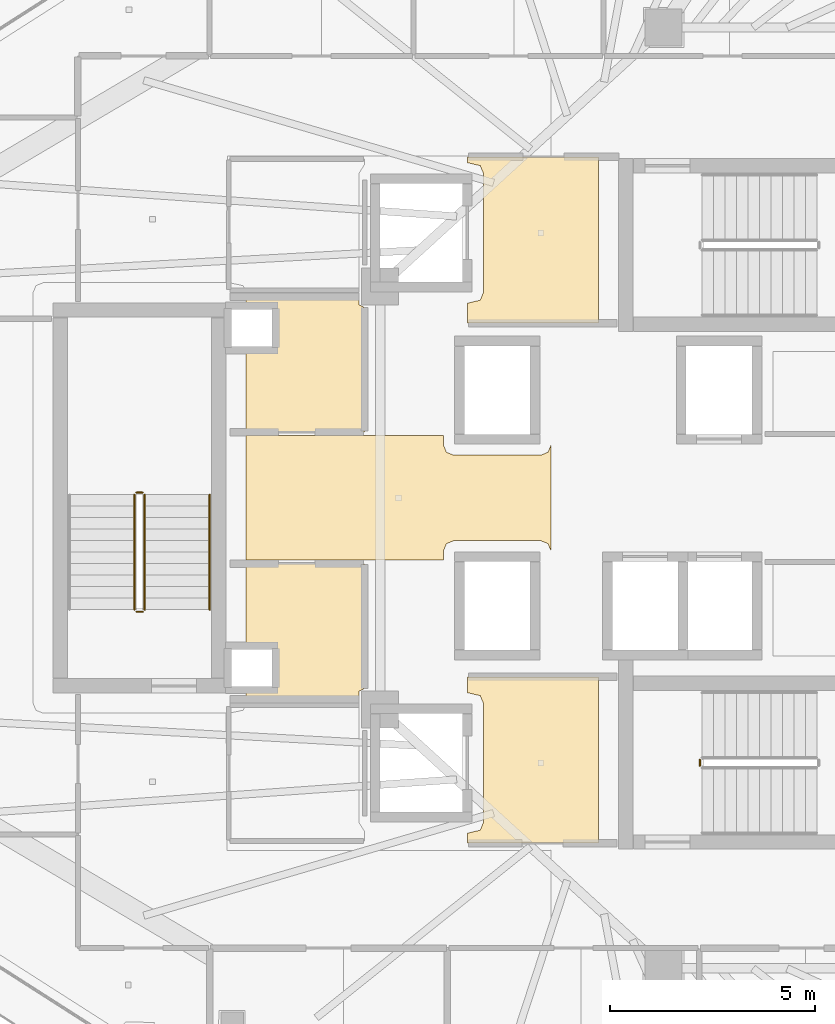
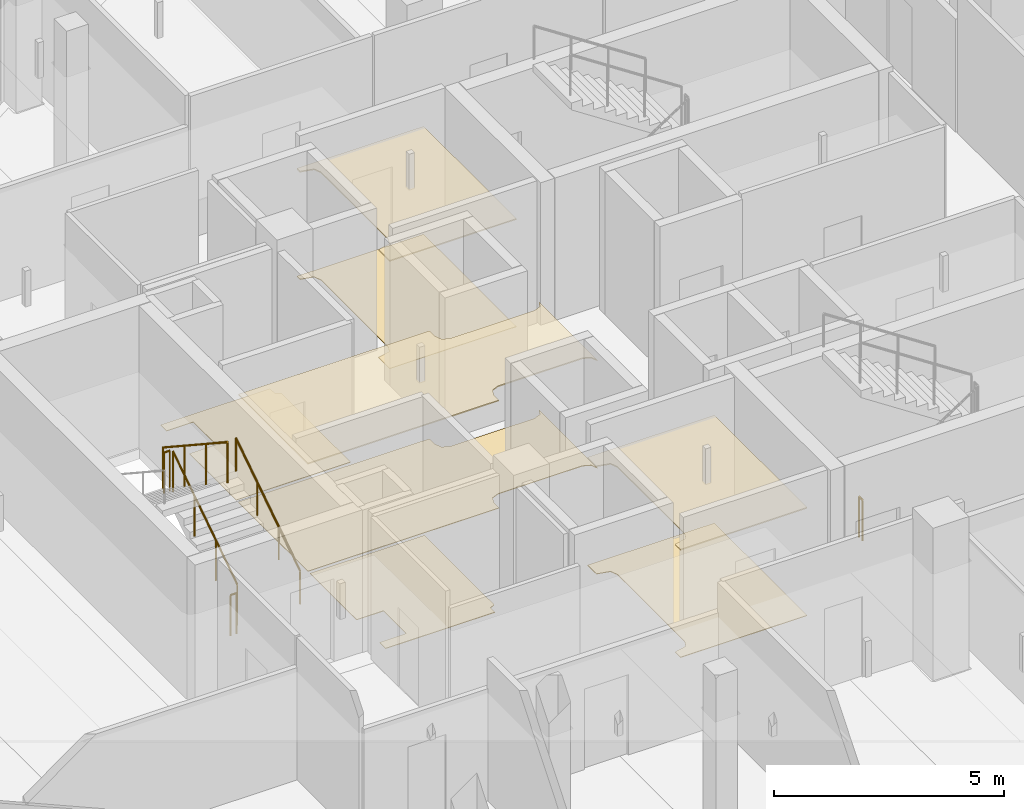
# One storey, part 31 of 36: 8 coverings, 6 railings.
"""IFC4 building model written with IfcOpenShell, lengths in metres."""

from ifc_helpers import new_model, si_unit, direction, frame, origin, origin_2d, place, context, subcontext, project, spatial, polyline, circle, outline, extrude, material, layer, layer_set, type_object, element, save


model = new_model("IFC4")

# Units and contexts
model_context = context("Model", 3, precision=1e-05, world=origin(), true_north=direction((0.0, 1.0)))
body_context = subcontext(model_context, "Body", "Model", "MODEL_VIEW")
ifc_project = project(units=[si_unit("LENGTHUNIT", "METRE"), si_unit("AREAUNIT", "SQUARE_METRE"), si_unit("VOLUMEUNIT", "CUBIC_METRE"), si_unit("PLANEANGLEUNIT", "RADIAN"), si_unit("MASSUNIT", "GRAM", prefix="KILO")], contexts=[model_context])

# Site, building, storey
site_placement = place(None, origin())
site = spatial("IfcSite", under=ifc_project, at=site_placement, CompositionType="ELEMENT")
building_placement = place(site_placement, origin())
building = spatial("IfcBuilding", under=site, at=building_placement, Name="Qorvath Tower", CompositionType="ELEMENT")
storey_placement = place(building_placement, frame((0.0, 0.0, 241.5)))
storey = spatial("IfcBuildingStorey", under=building, at=storey_placement, Name="L56", CompositionType="ELEMENT", Elevation=241.5)

# Coverings
ifc_material_1 = material(Name="Acoustic mineral fibre ceiling tile", Category="gypsum")
ifc_layer_1 = layer(ifc_material_1, 0.030029296875)
ifc_layer_set_1 = layer_set([ifc_layer_1], Name="COV-CEIL")
covering_type_1 = type_object("IfcCoveringType", Name="COV-CEIL", PredefinedType="CEILING", material=ifc_layer_set_1)
covering_1_placement = place(storey_placement, frame((0.0, 0.0, 2.85009765625)))
element("IfcCovering", 1, at=covering_1_placement, inside=storey, type_object=covering_type_1, Name="L56 Suspended Acoustic Ceiling 001", PredefinedType="CEILING", context=body_context, shape_type="SweptSolid", body=[
    extrude(outline(polyline([(-25.18994140625, 4.2548828125), (-25.18994140625, 8.294921875), (-28.375, 8.294921875), (-28.375, 8.159912109375), (-28.063232421875, 8.086669921875), (-27.989990234375, 7.909912109375), (-27.989990234375, 4.989990234375), (-28.063232421875, 4.813232421875), (-28.375, 4.739990234375), (-28.375, 4.2548828125), (-25.18994140625, 4.2548828125)])), origin(), (0.0, 0.0, 1.0), 0.030029296875),
])
covering_2_placement = place(storey_placement, frame((0.0, 0.0, 2.85009765625)))
element("IfcCovering", 2, at=covering_2_placement, inside=storey, type_object=covering_type_1, Name="L56 Suspended Acoustic Ceiling 002", PredefinedType="CEILING", context=body_context, shape_type="SweptSolid", body=[
    extrude(outline(polyline([(-25.18994140625, -8.39501953125), (-25.18994140625, -4.35498046875), (-28.375, -4.35498046875), (-28.375, -4.739990234375), (-28.063232421875, -4.813232421875), (-27.989990234375, -4.989990234375), (-27.989990234375, -7.909912109375), (-28.063232421875, -8.086669921875), (-28.375, -8.159912109375), (-28.375, -8.39501953125), (-25.18994140625, -8.39501953125)])), origin(), (0.0, 0.0, 1.0), 0.030029296875),
])
covering_3_placement = place(storey_placement, frame((0.0, 0.0, 2.85009765625)))
element("IfcCovering", 3, at=covering_3_placement, inside=storey, type_object=covering_type_1, Name="L56 Suspended Acoustic Ceiling 011", PredefinedType="CEILING", context=body_context, shape_type="SweptSolid", body=[
    extrude(outline(polyline([(-26.34716796875, -1.27294921875), (-26.34716796875, 1.27294921875), (-26.413330078125, 1.11328125), (-26.590087890625, 1.0400390625), (-28.7099609375, 1.0400390625), (-28.88671875, 1.11328125), (-28.9599609375, 1.2900390625), (-28.9599609375, 1.514892578125), (-33.760009765625, 1.514892578125), (-33.760009765625, -1.514892578125), (-28.9599609375, -1.514892578125), (-28.9599609375, -1.2900390625), (-28.88671875, -1.11328125), (-28.7099609375, -1.0400390625), (-26.590087890625, -1.0400390625), (-26.413330078125, -1.11328125), (-26.34716796875, -1.27294921875)])), origin(), (0.0, 0.0, 1.0), 0.030029296875),
])
ifc_material_2 = material(Name="Low-VOC modular carpet tile", Category="textile")
ifc_layer_2 = layer(ifc_material_2, 0.014892578125)
ifc_layer_set_2 = layer_set([ifc_layer_2], Name="COV-FLOOR-CPT")
covering_type_2 = type_object("IfcCoveringType", Name="COV-FLOOR-CPT", PredefinedType="FLOORING", material=ifc_layer_set_2)
covering_4_placement = place(storey_placement, origin())
element("IfcCovering", 4, at=covering_4_placement, inside=storey, type_object=covering_type_2, Name="L56 Floor Finish 006", PredefinedType="FLOORING", context=body_context, shape_type="SweptSolid", body=[
    extrude(outline(polyline([(-31.010009765625, 4.89501953125), (-33.760009765625, 4.89501953125), (-33.760009765625, 4.633056640625), (-33.08837890625, 4.631591796875), (-33.0869140625, 3.64208984375), (-33.760009765625, 3.636962890625), (-33.760009765625, 1.60498046875), (-30.885009765625, 1.60498046875), (-30.885009765625, 4.639892578125), (-31.010009765625, 4.699951171875), (-31.010009765625, 4.89501953125)])), origin(), (0.0, 0.0, 1.0), 0.014892578125),
])
covering_5_placement = place(storey_placement, origin())
element("IfcCovering", 5, at=covering_5_placement, inside=storey, type_object=covering_type_2, Name="L56 Floor Finish 008", PredefinedType="FLOORING", context=body_context, shape_type="SweptSolid", body=[
    extrude(outline(polyline([(-30.885009765625, -1.60498046875), (-33.760009765625, -1.60498046875), (-33.760009765625, -3.636962890625), (-33.08837890625, -3.638427734375), (-33.0869140625, -4.6279296875), (-33.760009765625, -4.633056640625), (-33.760009765625, -4.89501953125), (-31.010009765625, -4.89501953125), (-31.010009765625, -4.699951171875), (-30.885009765625, -4.639892578125), (-30.885009765625, -1.60498046875)])), origin(), (0.0, 0.0, 1.0), 0.014892578125),
])
ifc_material_3 = material(Name="Polished epoxy terrazzo flooring", Category="concrete")
ifc_layer_3 = layer(ifc_material_3, 0.02001953125)
ifc_layer_set_3 = layer_set([ifc_layer_3], Name="COV-FLOOR-TRZ")
covering_type_3 = type_object("IfcCoveringType", Name="COV-FLOOR-TRZ", PredefinedType="FLOORING", material=ifc_layer_set_3)
covering_6_placement = place(storey_placement, origin())
element("IfcCovering", 6, at=covering_6_placement, inside=storey, type_object=covering_type_3, Name="L56 Floor Finish 001", PredefinedType="FLOORING", context=body_context, shape_type="SweptSolid", body=[
    extrude(outline(polyline([(-25.18994140625, 4.2548828125), (-25.18994140625, 8.294921875), (-28.375, 8.294921875), (-28.375, 8.159912109375), (-28.063232421875, 8.086669921875), (-27.989990234375, 7.909912109375), (-27.989990234375, 4.989990234375), (-28.063232421875, 4.813232421875), (-28.375, 4.739990234375), (-28.375, 4.2548828125), (-25.18994140625, 4.2548828125)])), origin(), (0.0, 0.0, 1.0), 0.014892578125),
])
covering_7_placement = place(storey_placement, origin())
element("IfcCovering", 7, at=covering_7_placement, inside=storey, type_object=covering_type_3, Name="L56 Floor Finish 002", PredefinedType="FLOORING", context=body_context, shape_type="SweptSolid", body=[
    extrude(outline(polyline([(-25.18994140625, -8.39501953125), (-25.18994140625, -4.35498046875), (-28.375, -4.35498046875), (-28.375, -4.739990234375), (-28.063232421875, -4.813232421875), (-27.989990234375, -4.989990234375), (-27.989990234375, -7.909912109375), (-28.063232421875, -8.086669921875), (-28.375, -8.159912109375), (-28.375, -8.39501953125), (-25.18994140625, -8.39501953125)])), origin(), (0.0, 0.0, 1.0), 0.014892578125),
])
covering_8_placement = place(storey_placement, origin())
element("IfcCovering", 8, at=covering_8_placement, inside=storey, type_object=covering_type_3, Name="L56 Floor Finish 011", PredefinedType="FLOORING", context=body_context, shape_type="SweptSolid", body=[
    extrude(outline(polyline([(-26.34716796875, -1.27294921875), (-26.34716796875, 1.27294921875), (-26.413330078125, 1.11328125), (-26.590087890625, 1.0400390625), (-28.7099609375, 1.0400390625), (-28.88671875, 1.11328125), (-28.9599609375, 1.2900390625), (-28.9599609375, 1.514892578125), (-33.760009765625, 1.514892578125), (-33.760009765625, -1.514892578125), (-28.9599609375, -1.514892578125), (-28.9599609375, -1.2900390625), (-28.88671875, -1.11328125), (-28.7099609375, -1.0400390625), (-26.590087890625, -1.0400390625), (-26.413330078125, -1.11328125), (-26.34716796875, -1.27294921875)])), origin(), (0.0, 0.0, 1.0), 0.014892578125),
])

# Railings
ifc_material_4 = material(Name="Painted galvanised steel", Category="steel")
railing_type_1 = type_object("IfcRailingType", Name="RL-STR-GRD", PredefinedType="GUARDRAIL", material=ifc_material_4)
railing_1_placement = place(storey_placement, frame((-22.719970703125, -6.52001953125, 0.0)))
element("IfcRailing", 9, at=railing_1_placement, inside=storey, type_object=railing_type_1, Name="L56 TS2 stair guard 4", PredefinedType="GUARDRAIL", context=body_context, shape_type="SweptSolid", body=[
    extrude(circle(Radius=0.02392578125, at=origin_2d()), frame((0.0, 0.0, 1.076171875), z_axis=(0.0, 1.0, 0.0), x_axis=(-1.0, 0.0, 0.0)), (0.0, 0.0, 1.0), 0.14990234375),
    extrude(circle(Radius=0.02099609375, at=origin_2d()), origin(), (0.0, 0.0, 1.0), 1.052001953125),
    extrude(circle(Radius=0.02099609375, at=origin_2d()), frame((0.0, 0.14990234375, 0.0)), (0.0, 0.0, 1.0), 1.052001953125),
])
railing_2_placement = place(storey_placement, frame((-36.22998046875, -2.719970703125, 0.18408203125)))
element("IfcRailing", 10, at=railing_2_placement, inside=storey, type_object=railing_type_1, Name="L56 TS3 stair guard 1", PredefinedType="GUARDRAIL", context=body_context, shape_type="SweptSolid", body=[
    extrude(circle(Radius=0.02392578125, at=origin_2d()), frame((0.0, 0.0, 1.076171875), z_axis=(0.0, 0.835597507184, 0.549342157483), x_axis=(-1.0, 0.0, 0.0)), (0.0, 0.0, 1.0), 3.35107421875),
    extrude(circle(Radius=0.02099609375, at=origin_2d()), origin(), (0.0, 0.0, 1.0), 1.052001953125),
    extrude(circle(Radius=0.02099609375, at=origin_2d()), frame((0.0, 0.933349609375, 0.613525390625)), (0.0, 0.0, 1.0), 1.052001953125),
    extrude(circle(Radius=0.02099609375, at=origin_2d()), frame((0.0, 1.86669921875, 1.227294921875)), (0.0, 0.0, 1.0), 1.052001953125),
    extrude(circle(Radius=0.02099609375, at=origin_2d()), frame((0.0, 2.800048828125, 1.8408203125)), (0.0, 0.0, 1.0), 1.052001953125),
])
railing_3_placement = place(storey_placement, frame((-36.280029296875, 0.1298828125, 2.02490234375)))
element("IfcRailing", 11, at=railing_3_placement, inside=storey, type_object=railing_type_1, Name="L56 TS3 stair guard 2", PredefinedType="GUARDRAIL", context=body_context, shape_type="SweptSolid", body=[
    extrude(circle(Radius=0.02392578125, at=origin_2d()), frame((0.0, 0.0, 1.076171875), z_axis=(-1.0, 0.0, 0.0), x_axis=(0.0, -1.0, 0.0)), (0.0, 0.0, 1.0), 0.14990234375),
    extrude(circle(Radius=0.02099609375, at=origin_2d()), origin(), (0.0, 0.0, 1.0), 1.052001953125),
    extrude(circle(Radius=0.02099609375, at=origin_2d()), frame((-0.14990234375, 0.0, 0.0)), (0.0, 0.0, 1.0), 1.052001953125),
])
railing_4_placement = place(storey_placement, frame((-36.47998046875, 0.080078125, 2.208984375)))
element("IfcRailing", 12, at=railing_4_placement, inside=storey, type_object=railing_type_1, Name="L56 TS3 stair guard 3", PredefinedType="GUARDRAIL", context=body_context, shape_type="SweptSolid", body=[
    extrude(circle(Radius=0.02392578125, at=origin_2d()), frame((0.0, 0.0, 1.076171875), z_axis=(0.0, -0.83556406348, 0.549393024911), x_axis=(1.0, 0.0, 0.0)), (0.0, 0.0, 1.0), 3.35107421875),
    extrude(circle(Radius=0.02099609375, at=origin_2d()), origin(), (0.0, 0.0, 1.0), 1.052001953125),
    extrude(circle(Radius=0.02099609375, at=origin_2d()), frame((0.0, -0.933349609375, 0.61376953125)), (0.0, 0.0, 1.0), 1.052001953125),
    extrude(circle(Radius=0.02099609375, at=origin_2d()), frame((0.0, -1.86669921875, 1.227294921875)), (0.0, 0.0, 1.0), 1.052001953125),
    extrude(circle(Radius=0.02099609375, at=origin_2d()), frame((0.0, -2.800048828125, 1.841064453125)), (0.0, 0.0, 1.0), 1.052001953125),
])
railing_5_placement = place(storey_placement, frame((-36.280029296875, -2.77001953125, 0.0)))
element("IfcRailing", 13, at=railing_5_placement, inside=storey, type_object=railing_type_1, Name="L56 TS3 stair guard 4", PredefinedType="GUARDRAIL", context=body_context, shape_type="SweptSolid", body=[
    extrude(circle(Radius=0.02392578125, at=origin_2d()), frame((0.0, 0.0, 1.076171875), z_axis=(-1.0, 0.0, 0.0), x_axis=(0.0, -1.0, 0.0)), (0.0, 0.0, 1.0), 0.14990234375),
    extrude(circle(Radius=0.02099609375, at=origin_2d()), origin(), (0.0, 0.0, 1.0), 1.052001953125),
    extrude(circle(Radius=0.02099609375, at=origin_2d()), frame((-0.14990234375, 0.0, 0.0)), (0.0, 0.0, 1.0), 1.052001953125),
])
ifc_material_5 = material(Name="Brushed stainless steel AISI 304", Category="steel")
railing_type_2 = type_object("IfcRailingType", Name="RL-STR-HND", PredefinedType="HANDRAIL", material=ifc_material_5)
railing_6_placement = place(storey_placement, frame((-34.64990234375, -2.719970703125, 0.18408203125)))
element("IfcRailing", 14, at=railing_6_placement, inside=storey, type_object=railing_type_2, Name="L56 TS3 stair handrail 1", PredefinedType="HANDRAIL", context=body_context, shape_type="SweptSolid", body=[
    extrude(circle(Radius=0.02392578125, at=origin_2d()), frame((0.0, 0.0, 0.8759765625), z_axis=(0.0, 0.835597507184, 0.549342157483), x_axis=(-1.0, 0.0, 0.0)), (0.0, 0.0, 1.0), 3.35107421875),
    extrude(circle(Radius=0.02099609375, at=origin_2d()), origin(), (0.0, 0.0, 1.0), 0.851806640625),
    extrude(circle(Radius=0.02099609375, at=origin_2d()), frame((0.0, 0.933349609375, 0.613525390625)), (0.0, 0.0, 1.0), 0.851806640625),
    extrude(circle(Radius=0.02099609375, at=origin_2d()), frame((0.0, 1.86669921875, 1.227294921875)), (0.0, 0.0, 1.0), 0.851806640625),
    extrude(circle(Radius=0.02099609375, at=origin_2d()), frame((0.0, 2.800048828125, 1.8408203125)), (0.0, 0.0, 1.0), 0.851806640625),
])

save(model, "model.ifc")
